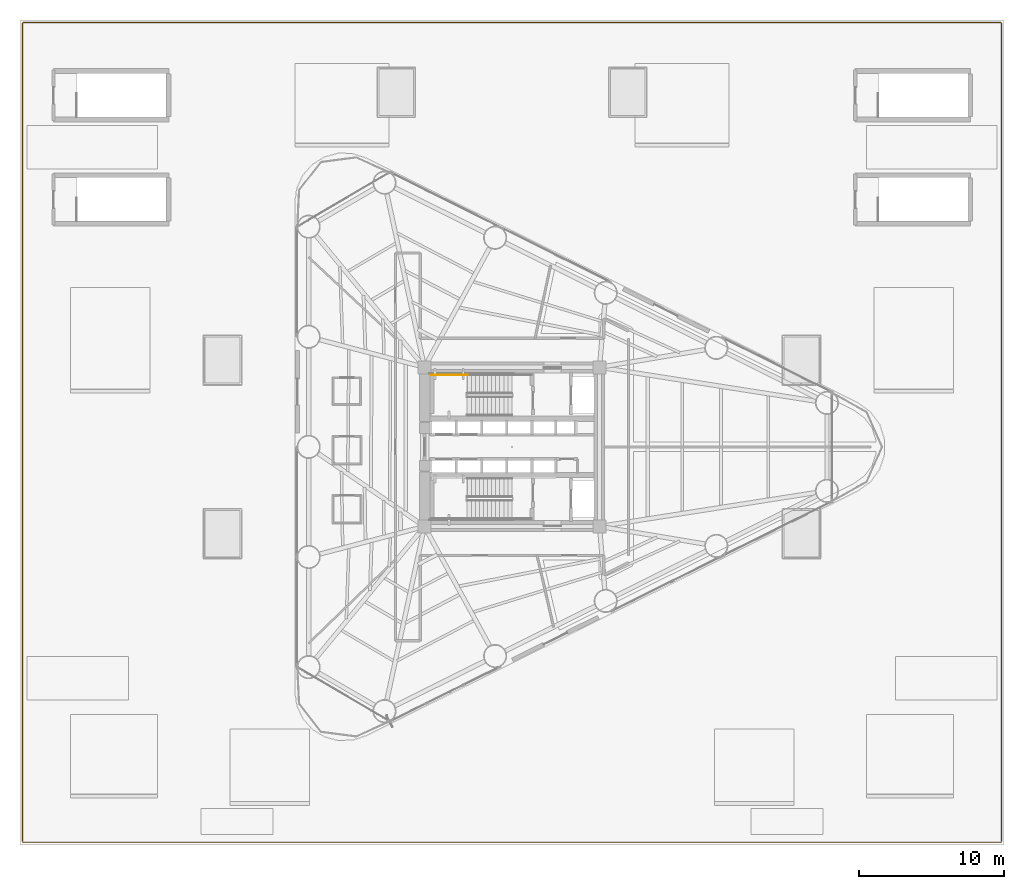
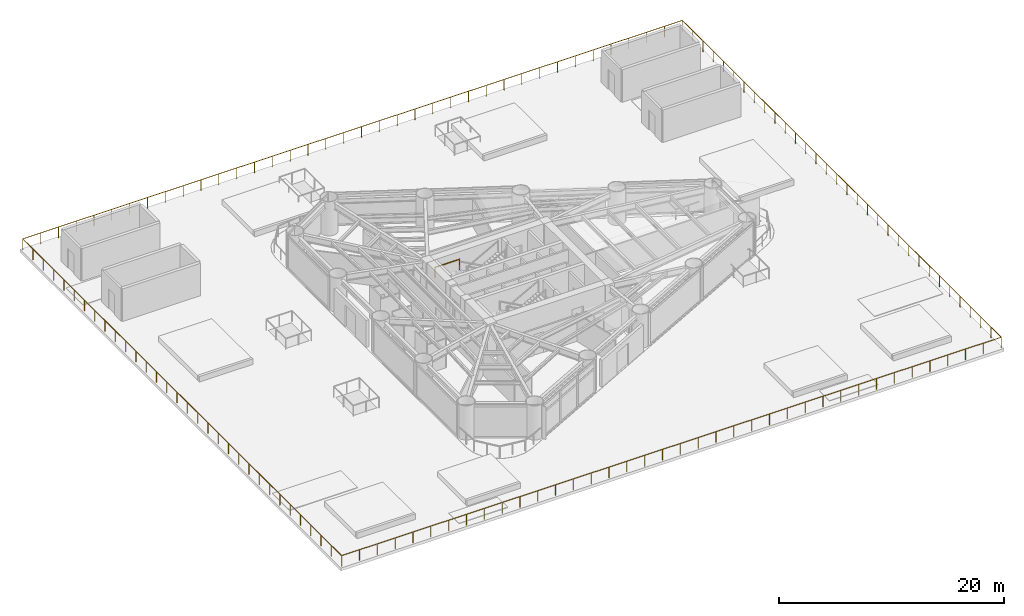
# One storey, part 11 of 13: 2 railings.
"""IFC4 building model written with IfcOpenShell, lengths in metres."""

from ifc_helpers import new_model, si_unit, direction, frame, origin, origin_2d, place, context, subcontext, project, spatial, rectangle, extrude, material, type_object, element, save


model = new_model("IFC4")

# Units and contexts
model_context = context("Model", 3, precision=1e-05, world=origin(), true_north=direction((0.0, 1.0)))
body_context = subcontext(model_context, "Body", "Model", "MODEL_VIEW")
ifc_project = project(units=[si_unit("LENGTHUNIT", "METRE"), si_unit("AREAUNIT", "SQUARE_METRE"), si_unit("VOLUMEUNIT", "CUBIC_METRE"), si_unit("PLANEANGLEUNIT", "RADIAN"), si_unit("MASSUNIT", "GRAM", prefix="KILO")], contexts=[model_context])

# Site, building, storey
site_placement = place(None, origin())
site = spatial("IfcSite", under=ifc_project, at=site_placement, CompositionType="ELEMENT")
building_placement = place(site_placement, origin())
building = spatial("IfcBuilding", under=site, at=building_placement, Name="Yunling Apex Tower", CompositionType="ELEMENT")
storey_placement = place(building_placement, frame((0.0, 0.0, 20.10009765625)))
storey = spatial("IfcBuildingStorey", under=building, at=storey_placement, Name="L06", CompositionType="ELEMENT", Elevation=20.10009765625)

# Railings
ifc_material_1 = material(Name="Bronze anodised aluminium", Category="aluminium")
railing_type_1 = type_object("IfcRailingType", Name="RL-BAL-1200", PredefinedType="BALUSTRADE", material=ifc_material_1)
railing_1_placement = place(storey_placement, frame((-33.820068359375, -27.320068359375, 0.0)))
element("IfcRailing", 1, at=railing_1_placement, inside=storey, type_object=railing_type_1, Name="RL-GDN-PERIM", PredefinedType="BALUSTRADE", context=body_context, shape_type="SweptSolid", body=[
    extrude(rectangle(XDim=0.0439453125, YDim=0.0439453125, at=origin_2d()), origin(), (0.0, 0.0, 1.0), 1.199951171875),
    extrude(rectangle(XDim=0.0439453125, YDim=0.0439453125, at=origin_2d()), frame((67.64013671875, 0.0, 0.0)), (0.0, 0.0, 1.0), 1.199951171875),
    extrude(rectangle(XDim=0.050048828125, YDim=0.050048828125, at=origin_2d()), frame((0.038330078125, 0.0, 1.1748046875), z_axis=(1.0, 0.0, 0.0), x_axis=(0.0, 1.0, 0.0)), (0.0, 0.0, 1.0), 67.5634765625),
    extrude(rectangle(XDim=0.0439453125, YDim=0.0439453125, at=origin_2d()), frame((1.828125, 0.0, 0.0)), (0.0, 0.0, 1.0), 1.14599609375),
    extrude(rectangle(XDim=0.0439453125, YDim=0.0439453125, at=origin_2d()), frame((3.65625, 0.0, 0.0)), (0.0, 0.0, 1.0), 1.14599609375),
    extrude(rectangle(XDim=0.0439453125, YDim=0.0439453125, at=origin_2d()), frame((5.484375, 0.0, 0.0)), (0.0, 0.0, 1.0), 1.14599609375),
    extrude(rectangle(XDim=0.0439453125, YDim=0.0439453125, at=origin_2d()), frame((7.3125, 0.0, 0.0)), (0.0, 0.0, 1.0), 1.14599609375),
    extrude(rectangle(XDim=0.0439453125, YDim=0.0439453125, at=origin_2d()), frame((9.140625, 0.0, 0.0)), (0.0, 0.0, 1.0), 1.14599609375),
    extrude(rectangle(XDim=0.0439453125, YDim=0.0439453125, at=origin_2d()), frame((10.96875, 0.0, 0.0)), (0.0, 0.0, 1.0), 1.14599609375),
    extrude(rectangle(XDim=0.0439453125, YDim=0.0439453125, at=origin_2d()), frame((12.796875, 0.0, 0.0)), (0.0, 0.0, 1.0), 1.14599609375),
    extrude(rectangle(XDim=0.0439453125, YDim=0.0439453125, at=origin_2d()), frame((14.625, 0.0, 0.0)), (0.0, 0.0, 1.0), 1.14599609375),
    extrude(rectangle(XDim=0.0439453125, YDim=0.0439453125, at=origin_2d()), frame((16.453125, 0.0, 0.0)), (0.0, 0.0, 1.0), 1.14599609375),
    extrude(rectangle(XDim=0.0439453125, YDim=0.0439453125, at=origin_2d()), frame((18.281005859375, 0.0, 0.0)), (0.0, 0.0, 1.0), 1.14599609375),
    extrude(rectangle(XDim=0.0439453125, YDim=0.0439453125, at=origin_2d()), frame((20.109130859375, 0.0, 0.0)), (0.0, 0.0, 1.0), 1.14599609375),
    extrude(rectangle(XDim=0.0439453125, YDim=0.0439453125, at=origin_2d()), frame((21.937255859375, 0.0, 0.0)), (0.0, 0.0, 1.0), 1.14599609375),
    extrude(rectangle(XDim=0.0439453125, YDim=0.0439453125, at=origin_2d()), frame((23.765380859375, 0.0, 0.0)), (0.0, 0.0, 1.0), 1.14599609375),
    extrude(rectangle(XDim=0.0439453125, YDim=0.0439453125, at=origin_2d()), frame((25.593505859375, 0.0, 0.0)), (0.0, 0.0, 1.0), 1.14599609375),
    extrude(rectangle(XDim=0.0439453125, YDim=0.0439453125, at=origin_2d()), frame((27.421630859375, 0.0, 0.0)), (0.0, 0.0, 1.0), 1.14599609375),
    extrude(rectangle(XDim=0.0439453125, YDim=0.0439453125, at=origin_2d()), frame((29.249755859375, 0.0, 0.0)), (0.0, 0.0, 1.0), 1.14599609375),
    extrude(rectangle(XDim=0.0439453125, YDim=0.0439453125, at=origin_2d()), frame((31.077880859375, 0.0, 0.0)), (0.0, 0.0, 1.0), 1.14599609375),
    extrude(rectangle(XDim=0.0439453125, YDim=0.0439453125, at=origin_2d()), frame((32.906005859375, 0.0, 0.0)), (0.0, 0.0, 1.0), 1.14599609375),
    extrude(rectangle(XDim=0.0439453125, YDim=0.0439453125, at=origin_2d()), frame((34.734130859375, 0.0, 0.0)), (0.0, 0.0, 1.0), 1.14599609375),
    extrude(rectangle(XDim=0.0439453125, YDim=0.0439453125, at=origin_2d()), frame((36.562255859375, 0.0, 0.0)), (0.0, 0.0, 1.0), 1.14599609375),
    extrude(rectangle(XDim=0.0439453125, YDim=0.0439453125, at=origin_2d()), frame((38.390380859375, 0.0, 0.0)), (0.0, 0.0, 1.0), 1.14599609375),
    extrude(rectangle(XDim=0.0439453125, YDim=0.0439453125, at=origin_2d()), frame((40.218505859375, 0.0, 0.0)), (0.0, 0.0, 1.0), 1.14599609375),
    extrude(rectangle(XDim=0.0439453125, YDim=0.0439453125, at=origin_2d()), frame((42.046630859375, 0.0, 0.0)), (0.0, 0.0, 1.0), 1.14599609375),
    extrude(rectangle(XDim=0.0439453125, YDim=0.0439453125, at=origin_2d()), frame((43.874755859375, 0.0, 0.0)), (0.0, 0.0, 1.0), 1.14599609375),
    extrude(rectangle(XDim=0.0439453125, YDim=0.0439453125, at=origin_2d()), frame((45.702880859375, 0.0, 0.0)), (0.0, 0.0, 1.0), 1.14599609375),
    extrude(rectangle(XDim=0.0439453125, YDim=0.0439453125, at=origin_2d()), frame((47.531005859375, 0.0, 0.0)), (0.0, 0.0, 1.0), 1.14599609375),
    extrude(rectangle(XDim=0.0439453125, YDim=0.0439453125, at=origin_2d()), frame((49.359130859375, 0.0, 0.0)), (0.0, 0.0, 1.0), 1.14599609375),
    extrude(rectangle(XDim=0.0439453125, YDim=0.0439453125, at=origin_2d()), frame((51.18701171875, 0.0, 0.0)), (0.0, 0.0, 1.0), 1.14599609375),
    extrude(rectangle(XDim=0.0439453125, YDim=0.0439453125, at=origin_2d()), frame((53.01513671875, 0.0, 0.0)), (0.0, 0.0, 1.0), 1.14599609375),
    extrude(rectangle(XDim=0.0439453125, YDim=0.0439453125, at=origin_2d()), frame((54.84326171875, 0.0, 0.0)), (0.0, 0.0, 1.0), 1.14599609375),
    extrude(rectangle(XDim=0.0439453125, YDim=0.0439453125, at=origin_2d()), frame((56.67138671875, 0.0, 0.0)), (0.0, 0.0, 1.0), 1.14599609375),
    extrude(rectangle(XDim=0.0439453125, YDim=0.0439453125, at=origin_2d()), frame((58.49951171875, 0.0, 0.0)), (0.0, 0.0, 1.0), 1.14599609375),
    extrude(rectangle(XDim=0.0439453125, YDim=0.0439453125, at=origin_2d()), frame((60.32763671875, 0.0, 0.0)), (0.0, 0.0, 1.0), 1.14599609375),
    extrude(rectangle(XDim=0.0439453125, YDim=0.0439453125, at=origin_2d()), frame((62.15576171875, 0.0, 0.0)), (0.0, 0.0, 1.0), 1.14599609375),
    extrude(rectangle(XDim=0.0439453125, YDim=0.0439453125, at=origin_2d()), frame((63.98388671875, 0.0, 0.0)), (0.0, 0.0, 1.0), 1.14599609375),
    extrude(rectangle(XDim=0.0439453125, YDim=0.0439453125, at=origin_2d()), frame((65.81201171875, 0.0, 0.0)), (0.0, 0.0, 1.0), 1.14599609375),
    extrude(rectangle(XDim=0.0439453125, YDim=0.0439453125, at=origin_2d()), frame((67.64013671875, 56.64013671875, 0.0)), (0.0, 0.0, 1.0), 1.199951171875),
    extrude(rectangle(XDim=0.050048828125, YDim=0.050048828125, at=origin_2d()), frame((67.64013671875, 0.038330078125, 1.1748046875), z_axis=(0.0, 1.0, 0.0), x_axis=(-1.0, 0.0, 0.0)), (0.0, 0.0, 1.0), 56.5634765625),
    extrude(rectangle(XDim=0.0439453125, YDim=0.0439453125, at=origin_2d()), frame((67.64013671875, 1.8271484375, 0.0)), (0.0, 0.0, 1.0), 1.14599609375),
    extrude(rectangle(XDim=0.0439453125, YDim=0.0439453125, at=origin_2d()), frame((67.64013671875, 3.654296875, 0.0)), (0.0, 0.0, 1.0), 1.14599609375),
    extrude(rectangle(XDim=0.0439453125, YDim=0.0439453125, at=origin_2d()), frame((67.64013671875, 5.481201171875, 0.0)), (0.0, 0.0, 1.0), 1.14599609375),
    extrude(rectangle(XDim=0.0439453125, YDim=0.0439453125, at=origin_2d()), frame((67.64013671875, 7.308349609375, 0.0)), (0.0, 0.0, 1.0), 1.14599609375),
    extrude(rectangle(XDim=0.0439453125, YDim=0.0439453125, at=origin_2d()), frame((67.64013671875, 9.135498046875, 0.0)), (0.0, 0.0, 1.0), 1.14599609375),
    extrude(rectangle(XDim=0.0439453125, YDim=0.0439453125, at=origin_2d()), frame((67.64013671875, 10.962646484375, 0.0)), (0.0, 0.0, 1.0), 1.14599609375),
    extrude(rectangle(XDim=0.0439453125, YDim=0.0439453125, at=origin_2d()), frame((67.64013671875, 12.789794921875, 0.0)), (0.0, 0.0, 1.0), 1.14599609375),
    extrude(rectangle(XDim=0.0439453125, YDim=0.0439453125, at=origin_2d()), frame((67.64013671875, 14.61669921875, 0.0)), (0.0, 0.0, 1.0), 1.14599609375),
    extrude(rectangle(XDim=0.0439453125, YDim=0.0439453125, at=origin_2d()), frame((67.64013671875, 16.44384765625, 0.0)), (0.0, 0.0, 1.0), 1.14599609375),
    extrude(rectangle(XDim=0.0439453125, YDim=0.0439453125, at=origin_2d()), frame((67.64013671875, 18.27099609375, 0.0)), (0.0, 0.0, 1.0), 1.14599609375),
    extrude(rectangle(XDim=0.0439453125, YDim=0.0439453125, at=origin_2d()), frame((67.64013671875, 20.09814453125, 0.0)), (0.0, 0.0, 1.0), 1.14599609375),
    extrude(rectangle(XDim=0.0439453125, YDim=0.0439453125, at=origin_2d()), frame((67.64013671875, 21.92529296875, 0.0)), (0.0, 0.0, 1.0), 1.14599609375),
    extrude(rectangle(XDim=0.0439453125, YDim=0.0439453125, at=origin_2d()), frame((67.64013671875, 23.752197265625, 0.0)), (0.0, 0.0, 1.0), 1.14599609375),
    extrude(rectangle(XDim=0.0439453125, YDim=0.0439453125, at=origin_2d()), frame((67.64013671875, 25.579345703125, 0.0)), (0.0, 0.0, 1.0), 1.14599609375),
    extrude(rectangle(XDim=0.0439453125, YDim=0.0439453125, at=origin_2d()), frame((67.64013671875, 27.406494140625, 0.0)), (0.0, 0.0, 1.0), 1.14599609375),
    extrude(rectangle(XDim=0.0439453125, YDim=0.0439453125, at=origin_2d()), frame((67.64013671875, 29.233642578125, 0.0)), (0.0, 0.0, 1.0), 1.14599609375),
    extrude(rectangle(XDim=0.0439453125, YDim=0.0439453125, at=origin_2d()), frame((67.64013671875, 31.060791015625, 0.0)), (0.0, 0.0, 1.0), 1.14599609375),
    extrude(rectangle(XDim=0.0439453125, YDim=0.0439453125, at=origin_2d()), frame((67.64013671875, 32.887939453125, 0.0)), (0.0, 0.0, 1.0), 1.14599609375),
    extrude(rectangle(XDim=0.0439453125, YDim=0.0439453125, at=origin_2d()), frame((67.64013671875, 34.71484375, 0.0)), (0.0, 0.0, 1.0), 1.14599609375),
    extrude(rectangle(XDim=0.0439453125, YDim=0.0439453125, at=origin_2d()), frame((67.64013671875, 36.5419921875, 0.0)), (0.0, 0.0, 1.0), 1.14599609375),
    extrude(rectangle(XDim=0.0439453125, YDim=0.0439453125, at=origin_2d()), frame((67.64013671875, 38.369140625, 0.0)), (0.0, 0.0, 1.0), 1.14599609375),
    extrude(rectangle(XDim=0.0439453125, YDim=0.0439453125, at=origin_2d()), frame((67.64013671875, 40.1962890625, 0.0)), (0.0, 0.0, 1.0), 1.14599609375),
    extrude(rectangle(XDim=0.0439453125, YDim=0.0439453125, at=origin_2d()), frame((67.64013671875, 42.0234375, 0.0)), (0.0, 0.0, 1.0), 1.14599609375),
    extrude(rectangle(XDim=0.0439453125, YDim=0.0439453125, at=origin_2d()), frame((67.64013671875, 43.850341796875, 0.0)), (0.0, 0.0, 1.0), 1.14599609375),
    extrude(rectangle(XDim=0.0439453125, YDim=0.0439453125, at=origin_2d()), frame((67.64013671875, 45.677490234375, 0.0)), (0.0, 0.0, 1.0), 1.14599609375),
    extrude(rectangle(XDim=0.0439453125, YDim=0.0439453125, at=origin_2d()), frame((67.64013671875, 47.504638671875, 0.0)), (0.0, 0.0, 1.0), 1.14599609375),
    extrude(rectangle(XDim=0.0439453125, YDim=0.0439453125, at=origin_2d()), frame((67.64013671875, 49.331787109375, 0.0)), (0.0, 0.0, 1.0), 1.14599609375),
    extrude(rectangle(XDim=0.0439453125, YDim=0.0439453125, at=origin_2d()), frame((67.64013671875, 51.158935546875, 0.0)), (0.0, 0.0, 1.0), 1.14599609375),
    extrude(rectangle(XDim=0.0439453125, YDim=0.0439453125, at=origin_2d()), frame((67.64013671875, 52.98583984375, 0.0)), (0.0, 0.0, 1.0), 1.14599609375),
    extrude(rectangle(XDim=0.0439453125, YDim=0.0439453125, at=origin_2d()), frame((67.64013671875, 54.81298828125, 0.0)), (0.0, 0.0, 1.0), 1.14599609375),
    extrude(rectangle(XDim=0.0439453125, YDim=0.0439453125, at=origin_2d()), frame((0.0, 56.64013671875, 0.0)), (0.0, 0.0, 1.0), 1.199951171875),
    extrude(rectangle(XDim=0.050048828125, YDim=0.050048828125, at=origin_2d()), frame((67.601806640625, 56.64013671875, 1.1748046875), z_axis=(-1.0, 0.0, 0.0), x_axis=(0.0, -1.0, 0.0)), (0.0, 0.0, 1.0), 67.5634765625),
    extrude(rectangle(XDim=0.0439453125, YDim=0.0439453125, at=origin_2d()), frame((65.81201171875, 56.64013671875, 0.0)), (0.0, 0.0, 1.0), 1.14599609375),
    extrude(rectangle(XDim=0.0439453125, YDim=0.0439453125, at=origin_2d()), frame((63.98388671875, 56.64013671875, 0.0)), (0.0, 0.0, 1.0), 1.14599609375),
    extrude(rectangle(XDim=0.0439453125, YDim=0.0439453125, at=origin_2d()), frame((62.15576171875, 56.64013671875, 0.0)), (0.0, 0.0, 1.0), 1.14599609375),
    extrude(rectangle(XDim=0.0439453125, YDim=0.0439453125, at=origin_2d()), frame((60.32763671875, 56.64013671875, 0.0)), (0.0, 0.0, 1.0), 1.14599609375),
    extrude(rectangle(XDim=0.0439453125, YDim=0.0439453125, at=origin_2d()), frame((58.49951171875, 56.64013671875, 0.0)), (0.0, 0.0, 1.0), 1.14599609375),
    extrude(rectangle(XDim=0.0439453125, YDim=0.0439453125, at=origin_2d()), frame((56.67138671875, 56.64013671875, 0.0)), (0.0, 0.0, 1.0), 1.14599609375),
    extrude(rectangle(XDim=0.0439453125, YDim=0.0439453125, at=origin_2d()), frame((54.84326171875, 56.64013671875, 0.0)), (0.0, 0.0, 1.0), 1.14599609375),
    extrude(rectangle(XDim=0.0439453125, YDim=0.0439453125, at=origin_2d()), frame((53.01513671875, 56.64013671875, 0.0)), (0.0, 0.0, 1.0), 1.14599609375),
    extrude(rectangle(XDim=0.0439453125, YDim=0.0439453125, at=origin_2d()), frame((51.18701171875, 56.64013671875, 0.0)), (0.0, 0.0, 1.0), 1.14599609375),
    extrude(rectangle(XDim=0.0439453125, YDim=0.0439453125, at=origin_2d()), frame((49.359130859375, 56.64013671875, 0.0)), (0.0, 0.0, 1.0), 1.14599609375),
    extrude(rectangle(XDim=0.0439453125, YDim=0.0439453125, at=origin_2d()), frame((47.531005859375, 56.64013671875, 0.0)), (0.0, 0.0, 1.0), 1.14599609375),
    extrude(rectangle(XDim=0.0439453125, YDim=0.0439453125, at=origin_2d()), frame((45.702880859375, 56.64013671875, 0.0)), (0.0, 0.0, 1.0), 1.14599609375),
    extrude(rectangle(XDim=0.0439453125, YDim=0.0439453125, at=origin_2d()), frame((43.874755859375, 56.64013671875, 0.0)), (0.0, 0.0, 1.0), 1.14599609375),
    extrude(rectangle(XDim=0.0439453125, YDim=0.0439453125, at=origin_2d()), frame((42.046630859375, 56.64013671875, 0.0)), (0.0, 0.0, 1.0), 1.14599609375),
    extrude(rectangle(XDim=0.0439453125, YDim=0.0439453125, at=origin_2d()), frame((40.218505859375, 56.64013671875, 0.0)), (0.0, 0.0, 1.0), 1.14599609375),
    extrude(rectangle(XDim=0.0439453125, YDim=0.0439453125, at=origin_2d()), frame((38.390380859375, 56.64013671875, 0.0)), (0.0, 0.0, 1.0), 1.14599609375),
    extrude(rectangle(XDim=0.0439453125, YDim=0.0439453125, at=origin_2d()), frame((36.562255859375, 56.64013671875, 0.0)), (0.0, 0.0, 1.0), 1.14599609375),
    extrude(rectangle(XDim=0.0439453125, YDim=0.0439453125, at=origin_2d()), frame((34.734130859375, 56.64013671875, 0.0)), (0.0, 0.0, 1.0), 1.14599609375),
    extrude(rectangle(XDim=0.0439453125, YDim=0.0439453125, at=origin_2d()), frame((32.906005859375, 56.64013671875, 0.0)), (0.0, 0.0, 1.0), 1.14599609375),
    extrude(rectangle(XDim=0.0439453125, YDim=0.0439453125, at=origin_2d()), frame((31.077880859375, 56.64013671875, 0.0)), (0.0, 0.0, 1.0), 1.14599609375),
    extrude(rectangle(XDim=0.0439453125, YDim=0.0439453125, at=origin_2d()), frame((29.249755859375, 56.64013671875, 0.0)), (0.0, 0.0, 1.0), 1.14599609375),
    extrude(rectangle(XDim=0.0439453125, YDim=0.0439453125, at=origin_2d()), frame((27.421630859375, 56.64013671875, 0.0)), (0.0, 0.0, 1.0), 1.14599609375),
    extrude(rectangle(XDim=0.0439453125, YDim=0.0439453125, at=origin_2d()), frame((25.593505859375, 56.64013671875, 0.0)), (0.0, 0.0, 1.0), 1.14599609375),
    extrude(rectangle(XDim=0.0439453125, YDim=0.0439453125, at=origin_2d()), frame((23.765380859375, 56.64013671875, 0.0)), (0.0, 0.0, 1.0), 1.14599609375),
    extrude(rectangle(XDim=0.0439453125, YDim=0.0439453125, at=origin_2d()), frame((21.937255859375, 56.64013671875, 0.0)), (0.0, 0.0, 1.0), 1.14599609375),
    extrude(rectangle(XDim=0.0439453125, YDim=0.0439453125, at=origin_2d()), frame((20.109130859375, 56.64013671875, 0.0)), (0.0, 0.0, 1.0), 1.14599609375),
    extrude(rectangle(XDim=0.0439453125, YDim=0.0439453125, at=origin_2d()), frame((18.281005859375, 56.64013671875, 0.0)), (0.0, 0.0, 1.0), 1.14599609375),
    extrude(rectangle(XDim=0.0439453125, YDim=0.0439453125, at=origin_2d()), frame((16.453125, 56.64013671875, 0.0)), (0.0, 0.0, 1.0), 1.14599609375),
    extrude(rectangle(XDim=0.0439453125, YDim=0.0439453125, at=origin_2d()), frame((14.625, 56.64013671875, 0.0)), (0.0, 0.0, 1.0), 1.14599609375),
    extrude(rectangle(XDim=0.0439453125, YDim=0.0439453125, at=origin_2d()), frame((12.796875, 56.64013671875, 0.0)), (0.0, 0.0, 1.0), 1.14599609375),
    extrude(rectangle(XDim=0.0439453125, YDim=0.0439453125, at=origin_2d()), frame((10.96875, 56.64013671875, 0.0)), (0.0, 0.0, 1.0), 1.14599609375),
    extrude(rectangle(XDim=0.0439453125, YDim=0.0439453125, at=origin_2d()), frame((9.140625, 56.64013671875, 0.0)), (0.0, 0.0, 1.0), 1.14599609375),
    extrude(rectangle(XDim=0.0439453125, YDim=0.0439453125, at=origin_2d()), frame((7.3125, 56.64013671875, 0.0)), (0.0, 0.0, 1.0), 1.14599609375),
    extrude(rectangle(XDim=0.0439453125, YDim=0.0439453125, at=origin_2d()), frame((5.484375, 56.64013671875, 0.0)), (0.0, 0.0, 1.0), 1.14599609375),
    extrude(rectangle(XDim=0.0439453125, YDim=0.0439453125, at=origin_2d()), frame((3.65625, 56.64013671875, 0.0)), (0.0, 0.0, 1.0), 1.14599609375),
    extrude(rectangle(XDim=0.0439453125, YDim=0.0439453125, at=origin_2d()), frame((1.828125, 56.64013671875, 0.0)), (0.0, 0.0, 1.0), 1.14599609375),
    extrude(rectangle(XDim=0.050048828125, YDim=0.050048828125, at=origin_2d()), frame((0.0, 56.601806640625, 1.1748046875), z_axis=(0.0, -1.0, 0.0), x_axis=(1.0, 0.0, 0.0)), (0.0, 0.0, 1.0), 56.5634765625),
    extrude(rectangle(XDim=0.0439453125, YDim=0.0439453125, at=origin_2d()), frame((0.0, 54.81298828125, 0.0)), (0.0, 0.0, 1.0), 1.14599609375),
    extrude(rectangle(XDim=0.0439453125, YDim=0.0439453125, at=origin_2d()), frame((0.0, 52.98583984375, 0.0)), (0.0, 0.0, 1.0), 1.14599609375),
    extrude(rectangle(XDim=0.0439453125, YDim=0.0439453125, at=origin_2d()), frame((0.0, 51.158935546875, 0.0)), (0.0, 0.0, 1.0), 1.14599609375),
    extrude(rectangle(XDim=0.0439453125, YDim=0.0439453125, at=origin_2d()), frame((0.0, 49.331787109375, 0.0)), (0.0, 0.0, 1.0), 1.14599609375),
    extrude(rectangle(XDim=0.0439453125, YDim=0.0439453125, at=origin_2d()), frame((0.0, 47.504638671875, 0.0)), (0.0, 0.0, 1.0), 1.14599609375),
    extrude(rectangle(XDim=0.0439453125, YDim=0.0439453125, at=origin_2d()), frame((0.0, 45.677490234375, 0.0)), (0.0, 0.0, 1.0), 1.14599609375),
    extrude(rectangle(XDim=0.0439453125, YDim=0.0439453125, at=origin_2d()), frame((0.0, 43.850341796875, 0.0)), (0.0, 0.0, 1.0), 1.14599609375),
    extrude(rectangle(XDim=0.0439453125, YDim=0.0439453125, at=origin_2d()), frame((0.0, 42.0234375, 0.0)), (0.0, 0.0, 1.0), 1.14599609375),
    extrude(rectangle(XDim=0.0439453125, YDim=0.0439453125, at=origin_2d()), frame((0.0, 40.1962890625, 0.0)), (0.0, 0.0, 1.0), 1.14599609375),
    extrude(rectangle(XDim=0.0439453125, YDim=0.0439453125, at=origin_2d()), frame((0.0, 38.369140625, 0.0)), (0.0, 0.0, 1.0), 1.14599609375),
    extrude(rectangle(XDim=0.0439453125, YDim=0.0439453125, at=origin_2d()), frame((0.0, 36.5419921875, 0.0)), (0.0, 0.0, 1.0), 1.14599609375),
    extrude(rectangle(XDim=0.0439453125, YDim=0.0439453125, at=origin_2d()), frame((0.0, 34.71484375, 0.0)), (0.0, 0.0, 1.0), 1.14599609375),
    extrude(rectangle(XDim=0.0439453125, YDim=0.0439453125, at=origin_2d()), frame((0.0, 32.887939453125, 0.0)), (0.0, 0.0, 1.0), 1.14599609375),
    extrude(rectangle(XDim=0.0439453125, YDim=0.0439453125, at=origin_2d()), frame((0.0, 31.060791015625, 0.0)), (0.0, 0.0, 1.0), 1.14599609375),
    extrude(rectangle(XDim=0.0439453125, YDim=0.0439453125, at=origin_2d()), frame((0.0, 29.233642578125, 0.0)), (0.0, 0.0, 1.0), 1.14599609375),
    extrude(rectangle(XDim=0.0439453125, YDim=0.0439453125, at=origin_2d()), frame((0.0, 27.406494140625, 0.0)), (0.0, 0.0, 1.0), 1.14599609375),
    extrude(rectangle(XDim=0.0439453125, YDim=0.0439453125, at=origin_2d()), frame((0.0, 25.579345703125, 0.0)), (0.0, 0.0, 1.0), 1.14599609375),
    extrude(rectangle(XDim=0.0439453125, YDim=0.0439453125, at=origin_2d()), frame((0.0, 23.752197265625, 0.0)), (0.0, 0.0, 1.0), 1.14599609375),
    extrude(rectangle(XDim=0.0439453125, YDim=0.0439453125, at=origin_2d()), frame((0.0, 21.92529296875, 0.0)), (0.0, 0.0, 1.0), 1.14599609375),
    extrude(rectangle(XDim=0.0439453125, YDim=0.0439453125, at=origin_2d()), frame((0.0, 20.09814453125, 0.0)), (0.0, 0.0, 1.0), 1.14599609375),
    extrude(rectangle(XDim=0.0439453125, YDim=0.0439453125, at=origin_2d()), frame((0.0, 18.27099609375, 0.0)), (0.0, 0.0, 1.0), 1.14599609375),
    extrude(rectangle(XDim=0.0439453125, YDim=0.0439453125, at=origin_2d()), frame((0.0, 16.44384765625, 0.0)), (0.0, 0.0, 1.0), 1.14599609375),
    extrude(rectangle(XDim=0.0439453125, YDim=0.0439453125, at=origin_2d()), frame((0.0, 14.61669921875, 0.0)), (0.0, 0.0, 1.0), 1.14599609375),
    extrude(rectangle(XDim=0.0439453125, YDim=0.0439453125, at=origin_2d()), frame((0.0, 12.789794921875, 0.0)), (0.0, 0.0, 1.0), 1.14599609375),
    extrude(rectangle(XDim=0.0439453125, YDim=0.0439453125, at=origin_2d()), frame((0.0, 10.962646484375, 0.0)), (0.0, 0.0, 1.0), 1.14599609375),
    extrude(rectangle(XDim=0.0439453125, YDim=0.0439453125, at=origin_2d()), frame((0.0, 9.135498046875, 0.0)), (0.0, 0.0, 1.0), 1.14599609375),
    extrude(rectangle(XDim=0.0439453125, YDim=0.0439453125, at=origin_2d()), frame((0.0, 7.308349609375, 0.0)), (0.0, 0.0, 1.0), 1.14599609375),
    extrude(rectangle(XDim=0.0439453125, YDim=0.0439453125, at=origin_2d()), frame((0.0, 5.481201171875, 0.0)), (0.0, 0.0, 1.0), 1.14599609375),
    extrude(rectangle(XDim=0.0439453125, YDim=0.0439453125, at=origin_2d()), frame((0.0, 3.654296875, 0.0)), (0.0, 0.0, 1.0), 1.14599609375),
    extrude(rectangle(XDim=0.0439453125, YDim=0.0439453125, at=origin_2d()), frame((0.0, 1.8271484375, 0.0)), (0.0, 0.0, 1.0), 1.14599609375),
])
ifc_material_2 = material(Name="Steel Q355B", Category="steel")
railing_type_2 = type_object("IfcRailingType", Name="RL-GRD-1150", PredefinedType="GUARDRAIL", material=ifc_material_2)
railing_2_placement = place(storey_placement, frame((-3.090087890625, 4.9599609375, 1.849853515625)))
element("IfcRailing", 2, at=railing_2_placement, inside=storey, type_object=railing_type_2, Name="L06 ST-1 stair guard 3", PredefinedType="GUARDRAIL", context=body_context, shape_type="SweptSolid", body=[
    extrude(rectangle(XDim=0.0439453125, YDim=0.0439453125, at=origin_2d()), origin(), (0.0, 0.0, 1.0), 1.14990234375),
    extrude(rectangle(XDim=0.0439453125, YDim=0.0439453125, at=origin_2d()), frame((-2.510009765625, 0.0, 0.0)), (0.0, 0.0, 1.0), 1.14990234375),
    extrude(rectangle(XDim=0.050048828125, YDim=0.050048828125, at=origin_2d()), frame((-0.038330078125, 0.0, 1.125), z_axis=(-1.0, 0.0, 0.0), x_axis=(0.0, -1.0, 0.0)), (0.0, 0.0, 1.0), 2.433349609375),
])

save(model, "model.ifc")
